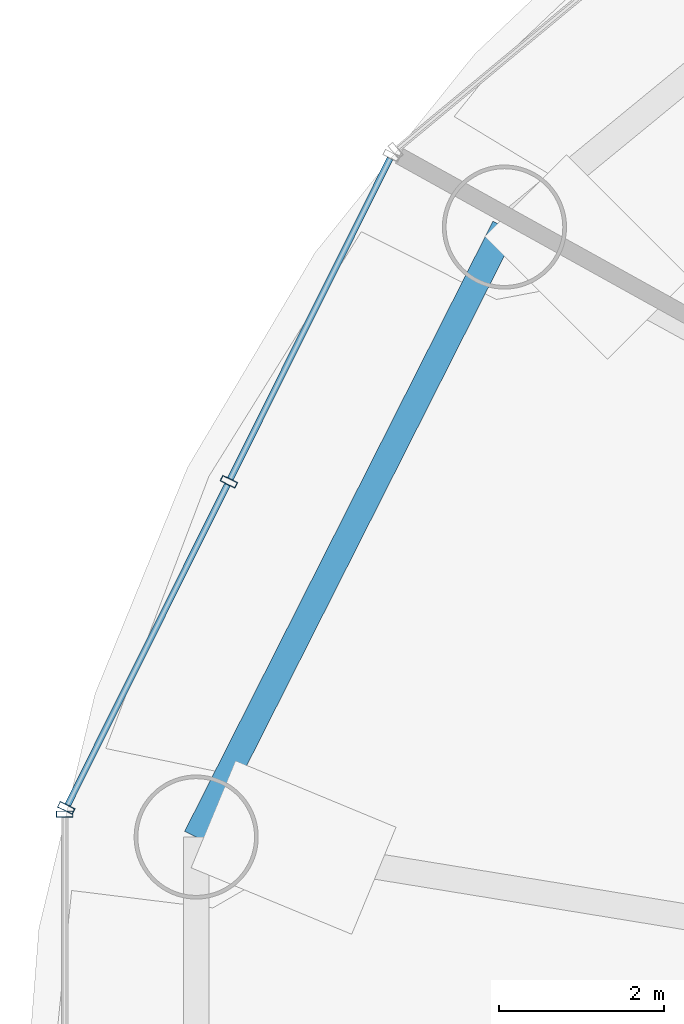
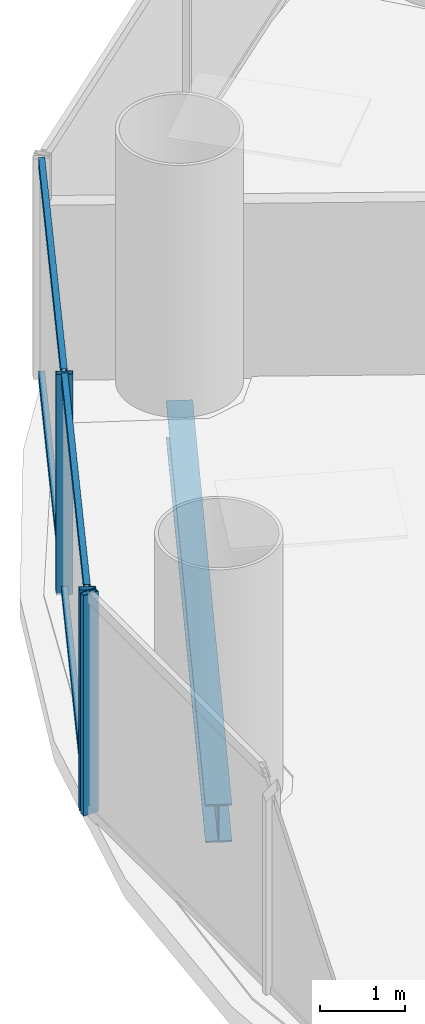
# One storey, part 9 of 29: 7 members, 1 beam, 2 elements without a shape of their own.
"""IFC4 building model written with IfcOpenShell, lengths in metres."""

from ifc_helpers import new_model, si_unit, direction, frame, origin, origin_2d, place, context, subcontext, project, spatial, hollow_rectangle, i_section, extrude, source, transform, mapped, material, material_profile, profile_set, type_object, element, aggregate, save


model = new_model("IFC4")

# Units and contexts
model_context = context("Model", 3, precision=1e-05, world=origin(), true_north=direction((-0.2419218956, 0.970295726276)))
body_context = subcontext(model_context, "Body", "Model", "MODEL_VIEW")
ifc_project = project(units=[si_unit("LENGTHUNIT", "METRE"), si_unit("AREAUNIT", "SQUARE_METRE"), si_unit("VOLUMEUNIT", "CUBIC_METRE"), si_unit("PLANEANGLEUNIT", "RADIAN"), si_unit("MASSUNIT", "GRAM", prefix="KILO")], contexts=[model_context])

# Site, building, storey
site_placement = place(None, origin())
site = spatial("IfcSite", under=ifc_project, at=site_placement, CompositionType="ELEMENT")
building_placement = place(site_placement, origin())
building = spatial("IfcBuilding", under=site, at=building_placement, Name="Cobrevalo Terracotta Tower", CompositionType="ELEMENT")
storey_placement = place(building_placement, frame((0.0, 0.0, 126.60009765625)))
storey = spatial("IfcBuildingStorey", under=building, at=storey_placement, Name="L33", CompositionType="ELEMENT", Elevation=126.60009765625)

# Beam
ifc_material_1 = material(Name="Steel S355", Category="steel")
ifc_material_profile_1 = material_profile(ifc_material_1, i_section(OverallWidth=0.31201171875, OverallDepth=0.54296875, WebThickness=0.0126953125, FlangeThickness=0.020263671875, at=origin_2d()), Name="W 530x150")
ifc_profile_set_1 = profile_set([ifc_material_profile_1], Name="Steel S355")
beam_type = type_object("IfcBeamType", Name="Structural Spandrel W 530x150 (Steel S355)", PredefinedType="SPANDREL", material=ifc_profile_set_1)
beam_placement = place(storey_placement, frame((17.2548828125, 38.161376953125, -0.546630859375), z_axis=(-0.451051982172, -0.892497680321, 0.0), x_axis=(0.892497680321, -0.451051982172, 0.0)))
element("IfcBeam", 1, at=beam_placement, inside=storey, type_object=beam_type, Name="L33 perimeter ring spandrel 07", PredefinedType="SPANDREL", context=body_context, shape_type="SweptSolid", body=[
    extrude(i_section(OverallWidth=0.31201171875, OverallDepth=0.54296875, WebThickness=0.0126953125, FlangeThickness=0.020263671875, at=origin_2d()), origin(), (0.0, 0.0, 1.0), 8.259765625),
])

# Curtain wall, members
ifc_material_2 = material(Name="Anodized aluminium", Category="aluminium")
curtain_wall_type = type_object("IfcCurtainWallType", Name="Lower-tower unitised acoustic low-E curtain wall CW-U1", PredefinedType="NOTDEFINED", material=ifc_material_2)
curtain_wall_1_placement = place(storey_placement, origin())
curtain_wall_1 = element("IfcCurtainWall", 2, at=curtain_wall_1_placement, inside=storey, type_object=curtain_wall_type, Name="L33 curtain wall CW-L33-S07", PredefinedType="NOTDEFINED")
ifc_material_profile_2 = material_profile(ifc_material_2, hollow_rectangle(XDim=0.074951171875, YDim=0.199951171875, WallThickness=0.0048828125, at=origin_2d()), Name="CWM 75x200")
ifc_profile_set_2 = profile_set([ifc_material_profile_2], Name="Anodized aluminium")
member_type_1 = type_object("IfcMemberType", Name="Lower/mid tower unitised mullion 75x200", PredefinedType="MULLION", material=ifc_profile_set_2)
shared_shape_1 = source(origin(), body_context, "Body", "SweptSolid", [
    extrude(hollow_rectangle(XDim=0.074951171875, YDim=0.199951171875, WallThickness=0.0048828125, at=origin_2d()), origin(), (0.0, 0.0, 1.0), 3.14990234375),
])
member_1_placement = place(storey_placement, frame((13.924072265625, 35.08349609375, 0.0), z_axis=(0.0, 0.0, 1.0), x_axis=(-0.446260290227, -0.894903208937, 0.0)))
member_1 = element("IfcMember", 3, at=member_1_placement, type_object=member_type_1, Name="CW-L33-S07 vertical mullion 02", PredefinedType="MULLION", context=body_context, shape_type="MappedRepresentation", body=[
    mapped(shared_shape_1, transform((0.0, 0.0, 0.0), scale=1.0)),
])
member_2_placement = place(storey_placement, frame((11.95849609375, 31.141357421875, 0.0), z_axis=(0.0, 0.0, 1.0), x_axis=(-0.446260290227, -0.894903208937, 0.0)))
member_2 = element("IfcMember", 4, at=member_2_placement, type_object=member_type_1, Name="CW-L33-S07 vertical mullion 03", PredefinedType="MULLION", context=body_context, shape_type="MappedRepresentation", body=[
    mapped(shared_shape_1, transform((0.0, 0.0, 0.0), scale=1.0)),
])

# Curtain wall, member
curtain_wall_2_placement = place(storey_placement, origin())
curtain_wall_2 = element("IfcCurtainWall", 5, at=curtain_wall_2_placement, inside=storey, type_object=curtain_wall_type, Name="L33 curtain wall CW-L33-S08", PredefinedType="NOTDEFINED")
member_3_placement = place(storey_placement, frame((11.9404296875, 31.065673828125, 0.0), z_axis=(0.0, 0.0, 1.0), x_axis=(0.0, -1.0, 0.0)))
member_3 = element("IfcMember", 6, at=member_3_placement, type_object=member_type_1, Name="CW-L33-S08 vertical mullion 01", PredefinedType="MULLION", context=body_context, shape_type="MappedRepresentation", body=[
    mapped(shared_shape_1, transform((0.0, 0.0, 0.0), scale=1.0)),
])
aggregate(curtain_wall_2, [member_3])

# Member
ifc_material_profile_3 = material_profile(ifc_material_2, hollow_rectangle(XDim=0.074951171875, YDim=0.14990234375, WallThickness=0.00439453125, at=origin_2d()), Name="CWT 75x150")
ifc_profile_set_3 = profile_set([ifc_material_profile_3], Name="Anodized aluminium")
member_type_2 = type_object("IfcMemberType", Name="Tower unitised aluminium transom 75x150", PredefinedType="USERDEFINED", material=ifc_profile_set_3)
shared_shape_2 = source(origin(), body_context, "Body", "SweptSolid", [
    extrude(hollow_rectangle(XDim=0.074951171875, YDim=0.14990234375, WallThickness=0.00439453125, at=origin_2d()), origin(), (0.0, 0.0, 1.0), 4.324951171875),
])
member_4_placement = place(storey_placement, frame((15.8720703125, 38.98974609375, 0.0498046875), z_axis=(-0.44624238083, -0.894912139571, 0.0), x_axis=(0.894912139571, -0.44624238083, 0.0)))
member_4 = element("IfcMember", 7, at=member_4_placement, type_object=member_type_2, Name="CW-L33-S07 transom B01-T1", ObjectType="TRANSOM", PredefinedType="USERDEFINED", context=body_context, shape_type="MappedRepresentation", body=[
    mapped(shared_shape_2, transform((0.0, 0.0, 0.0), scale=1.0)),
])

member_5_placement = place(storey_placement, frame((15.8720703125, 38.98974609375, 3.099853515625), z_axis=(-0.44624238083, -0.894912139571, 0.0), x_axis=(0.894912139571, -0.44624238083, 0.0)))
member_5 = element("IfcMember", 8, at=member_5_placement, type_object=member_type_2, Name="CW-L33-S07 transom B01-T2", ObjectType="TRANSOM", PredefinedType="USERDEFINED", context=body_context, shape_type="MappedRepresentation", body=[
    mapped(shared_shape_2, transform((0.0, 0.0, 0.0), scale=1.0)),
])

member_6_placement = place(storey_placement, frame((13.90625, 35.0478515625, 0.0498046875), z_axis=(-0.446219838389, -0.894923379864, 0.0), x_axis=(0.894923379864, -0.446219838389, 0.0)))
member_6 = element("IfcMember", 9, at=member_6_placement, type_object=member_type_2, Name="CW-L33-S07 transom B02-T1", ObjectType="TRANSOM", PredefinedType="USERDEFINED", context=body_context, shape_type="MappedRepresentation", body=[
    mapped(shared_shape_2, transform((0.0, 0.0, 0.0), scale=1.0)),
])

member_7_placement = place(storey_placement, frame((13.90625, 35.0478515625, 3.099853515625), z_axis=(-0.446219838389, -0.894923379864, 0.0), x_axis=(0.894923379864, -0.446219838389, 0.0)))
member_7 = element("IfcMember", 10, at=member_7_placement, type_object=member_type_2, Name="CW-L33-S07 transom B02-T2", ObjectType="TRANSOM", PredefinedType="USERDEFINED", context=body_context, shape_type="MappedRepresentation", body=[
    mapped(shared_shape_2, transform((0.0, 0.0, 0.0), scale=1.0)),
])

aggregate(curtain_wall_1, [member_1, member_2, member_4, member_5, member_6, member_7])

save(model, "model.ifc")
